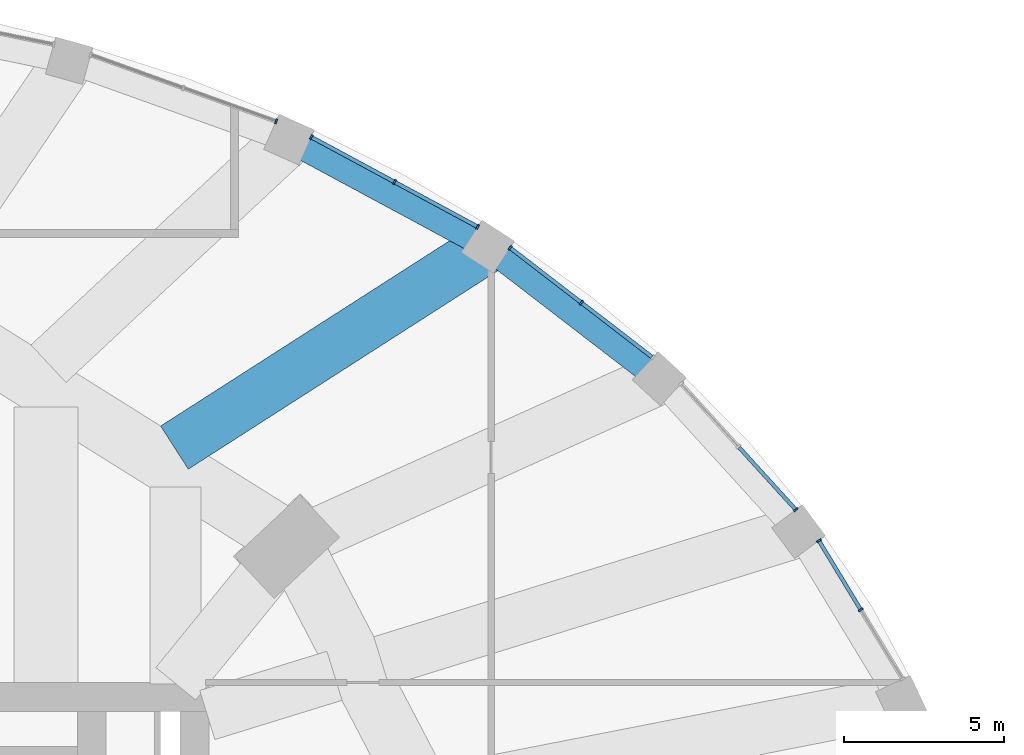
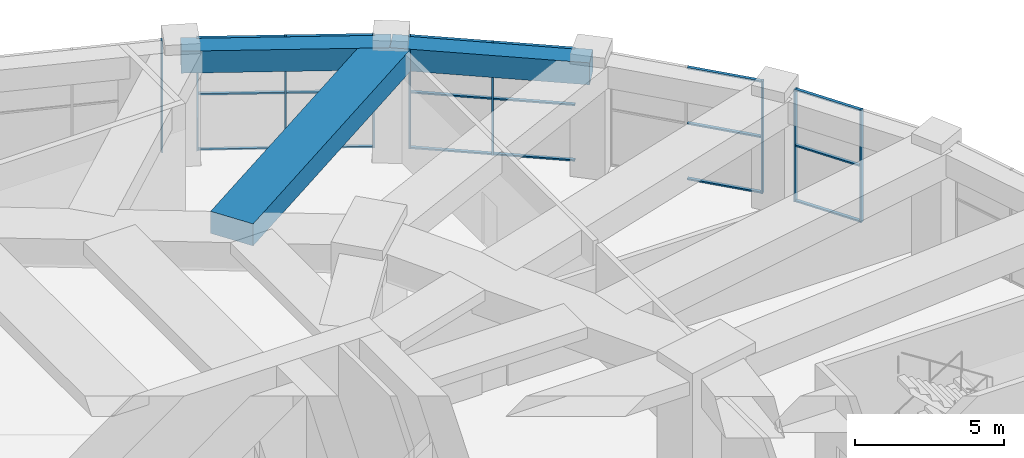
# One storey, part 15 of 32: 27 members, 3 beams, 5 elements without a shape of their own.
"""IFC4 building model written with IfcOpenShell, lengths in metres."""

from ifc_helpers import new_model, si_unit, direction, frame, origin, origin_2d, place, context, subcontext, project, spatial, rectangle, extrude, material, material_profile, profile_set, type_object, element, aggregate, save


model = new_model("IFC4")

# Units and contexts
model_context = context("Model", 3, precision=1e-05, world=origin(), true_north=direction((0.0, 1.0)))
body_context = subcontext(model_context, "Body", "Model", "MODEL_VIEW")
ifc_project = project(units=[si_unit("LENGTHUNIT", "METRE"), si_unit("AREAUNIT", "SQUARE_METRE"), si_unit("VOLUMEUNIT", "CUBIC_METRE"), si_unit("PLANEANGLEUNIT", "RADIAN"), si_unit("MASSUNIT", "GRAM", prefix="KILO")], contexts=[model_context])

# Site, building, storey
site_placement = place(None, origin())
site = spatial("IfcSite", under=ifc_project, at=site_placement, CompositionType="ELEMENT")
building_placement = place(site_placement, origin())
building = spatial("IfcBuilding", under=site, at=building_placement, Name="Taillehof Tower", CompositionType="ELEMENT")
storey_placement = place(building_placement, frame((0.0, 0.0, 7.5)))
storey = spatial("IfcBuildingStorey", under=building, at=storey_placement, Name="L01", CompositionType="ELEMENT", Elevation=7.5)

# Beams
ifc_material_1 = material(Name="Concrete C50/60", Category="concrete")
ifc_material_profile_1 = material_profile(ifc_material_1, rectangle(XDim=0.800048828125, YDim=0.89990234375, at=origin_2d()), Name="RC 800x900")
ifc_profile_set_1 = profile_set([ifc_material_profile_1], Name="Concrete C50/60")
beam_type_1 = type_object("IfcBeamType", Name="Podium edge beam C50/60 800x900", PredefinedType="BEAM", material=ifc_profile_set_1)
beam_1_placement = place(storey_placement, frame((33.246337890625, 21.468994140625, 4.139892578125), z_axis=(-0.79247741179, 0.609901263978, 0.0), x_axis=(-0.609901263978, -0.79247741179, 0.0)))
element("IfcBeam", 1, at=beam_1_placement, inside=storey, type_object=beam_type_1, Name="Podium edge beam PB05", PredefinedType="BEAM", context=body_context, shape_type="SweptSolid", body=[
    extrude(rectangle(XDim=0.800048828125, YDim=0.89990234375, at=origin_2d()), origin(), (0.0, 0.0, 1.0), 6.750244140625),
])
beam_2_placement = place(storey_placement, frame((27.89697265625, 25.5859375, 4.139892578125), z_axis=(-0.880322944269, 0.474374866317, 0.0), x_axis=(-0.474374866317, -0.880322944269, 0.0)))
element("IfcBeam", 2, at=beam_2_placement, inside=storey, type_object=beam_type_1, Name="Podium edge beam PB06", PredefinedType="BEAM", context=body_context, shape_type="SweptSolid", body=[
    extrude(rectangle(XDim=0.800048828125, YDim=0.89990234375, at=origin_2d()), origin(), (0.0, 0.0, 1.0), 7.03955078125),
])
ifc_material_2 = material(Name="Concrete C50/60", Category="concrete")
ifc_material_profile_2 = material_profile(ifc_material_2, rectangle(XDim=1.60009765625, YDim=0.89990234375, at=origin_2d()), Name="RC 1600x900")
ifc_profile_set_2 = profile_set([ifc_material_profile_2], Name="Concrete C50/60")
beam_type_2 = type_object("IfcBeamType", Name="Podium radial beam C50/60 1600x900", PredefinedType="BEAM", material=ifc_profile_set_2)
beam_3_placement = place(storey_placement, frame((27.89697265625, 25.5859375, 4.139892578125), z_axis=(-0.841846298209, -0.539717342867, 0.0), x_axis=(0.539717342867, -0.841846298209, 0.0)))
element("IfcBeam", 3, at=beam_3_placement, inside=storey, type_object=beam_type_2, Name="Podium radial beam PR06", PredefinedType="BEAM", context=body_context, shape_type="SweptSolid", body=[
    extrude(rectangle(XDim=1.60009765625, YDim=0.89990234375, at=origin_2d()), origin(), (0.0, 0.0, 1.0), 11.60546875),
])

# Curtain wall, members
ifc_material_3 = material(Name="Aluminium curtain wall with Clear low-emissivity double glazing", Category="aluminium")
curtain_wall_type = type_object("IfcCurtainWallType", Name="Podium window wall curtain wall", PredefinedType="USERDEFINED", material=ifc_material_3)
curtain_wall_1_placement = place(storey_placement, origin())
curtain_wall_1 = element("IfcCurtainWall", 4, at=curtain_wall_1_placement, inside=storey, type_object=curtain_wall_type, Name="Podium window wall L01 bay 3", ObjectType="WINDOW WALL", PredefinedType="USERDEFINED")
ifc_material_4 = material(Name="Aluminium mullion", Category="aluminium")
ifc_material_profile_3 = material_profile(ifc_material_4, rectangle(XDim=0.159912109375, YDim=0.06005859375, at=origin_2d()), Name="AL 60x160")
ifc_profile_set_3 = profile_set([ifc_material_profile_3], Name="Aluminium mullion")
member_type_1 = type_object("IfcMemberType", Name="Podium window wall mullion 60x160", PredefinedType="MULLION", material=ifc_profile_set_3)
member_1_placement = place(storey_placement, frame((39.524169921875, 14.266357421875, 0.0), z_axis=(0.0, 0.0, 1.0), x_axis=(-0.855288863309, -0.518151483931, 0.0)))
member_1 = element("IfcMember", 5, at=member_1_placement, type_object=member_type_1, Name="CT203 mullion 2", PredefinedType="MULLION", context=body_context, shape_type="SweptSolid", body=[
    extrude(rectangle(XDim=0.159912109375, YDim=0.06005859375, at=origin_2d()), origin(), (0.0, 0.0, 1.0), 4.590087890625),
])
member_2_placement = place(storey_placement, frame((38.217529296875, 16.42333984375, 0.0), z_axis=(0.0, 0.0, 1.0), x_axis=(-0.855288863309, -0.518151483931, 0.0)))
member_2 = element("IfcMember", 6, at=member_2_placement, type_object=member_type_1, Name="CT203 mullion 3", PredefinedType="MULLION", context=body_context, shape_type="SweptSolid", body=[
    extrude(rectangle(XDim=0.159912109375, YDim=0.06005859375, at=origin_2d()), origin(), (0.0, 0.0, 1.0), 4.590087890625),
])

# Curtain wall, member
curtain_wall_2_placement = place(storey_placement, origin())
curtain_wall_2 = element("IfcCurtainWall", 7, at=curtain_wall_2_placement, inside=storey, type_object=curtain_wall_type, Name="Podium window wall L01 bay 4", ObjectType="WINDOW WALL", PredefinedType="USERDEFINED")
member_3_placement = place(storey_placement, frame((37.49951171875, 17.384765625, 0.0), z_axis=(0.0, 0.0, 1.0), x_axis=(-0.739707112587, -0.672928961769, 0.0)))
member_3 = element("IfcMember", 8, at=member_3_placement, type_object=member_type_1, Name="CT204 mullion 1", PredefinedType="MULLION", context=body_context, shape_type="SweptSolid", body=[
    extrude(rectangle(XDim=0.159912109375, YDim=0.06005859375, at=origin_2d()), origin(), (0.0, 0.0, 1.0), 4.590087890625),
])

# Curtain wall, members
curtain_wall_3_placement = place(storey_placement, origin())
curtain_wall_3 = element("IfcCurtainWall", 9, at=curtain_wall_3_placement, inside=storey, type_object=curtain_wall_type, Name="Podium window wall L01 bay 5", ObjectType="WINDOW WALL", PredefinedType="USERDEFINED")
member_4_placement = place(storey_placement, frame((30.8154296875, 23.842041015625, 0.0), z_axis=(0.0, 0.0, 1.0), x_axis=(-0.60993206075, -0.792453709228, 0.0)))
member_4 = element("IfcMember", 10, at=member_4_placement, type_object=member_type_1, Name="CT205 mullion 2", PredefinedType="MULLION", context=body_context, shape_type="SweptSolid", body=[
    extrude(rectangle(XDim=0.159912109375, YDim=0.06005859375, at=origin_2d()), origin(), (0.0, 0.0, 1.0), 4.590087890625),
])
member_5_placement = place(storey_placement, frame((28.59130859375, 25.5537109375, 0.0), z_axis=(0.0, 0.0, 1.0), x_axis=(-0.60993206075, -0.792453709228, 0.0)))
member_5 = element("IfcMember", 11, at=member_5_placement, type_object=member_type_1, Name="CT205 mullion 3", PredefinedType="MULLION", context=body_context, shape_type="SweptSolid", body=[
    extrude(rectangle(XDim=0.159912109375, YDim=0.06005859375, at=origin_2d()), origin(), (0.0, 0.0, 1.0), 4.590087890625),
])

curtain_wall_4_placement = place(storey_placement, origin())
curtain_wall_4 = element("IfcCurtainWall", 12, at=curtain_wall_4_placement, inside=storey, type_object=curtain_wall_type, Name="Podium window wall L01 bay 6", ObjectType="WINDOW WALL", PredefinedType="USERDEFINED")
member_6_placement = place(storey_placement, frame((27.584228515625, 26.20654296875, 0.0), z_axis=(0.0, 0.0, 1.0), x_axis=(-0.474414781992, -0.880301433958, 0.0)))
member_6 = element("IfcMember", 13, at=member_6_placement, type_object=member_type_1, Name="CT206 mullion 1", PredefinedType="MULLION", context=body_context, shape_type="SweptSolid", body=[
    extrude(rectangle(XDim=0.159912109375, YDim=0.06005859375, at=origin_2d()), origin(), (0.0, 0.0, 1.0), 4.590087890625),
])
member_7_placement = place(storey_placement, frame((24.98828125, 27.60546875, 0.0), z_axis=(0.0, 0.0, 1.0), x_axis=(-0.474414781992, -0.880301433958, 0.0)))
member_7 = element("IfcMember", 14, at=member_7_placement, type_object=member_type_1, Name="CT206 mullion 2", PredefinedType="MULLION", context=body_context, shape_type="SweptSolid", body=[
    extrude(rectangle(XDim=0.159912109375, YDim=0.06005859375, at=origin_2d()), origin(), (0.0, 0.0, 1.0), 4.590087890625),
])
member_8_placement = place(storey_placement, frame((22.392333984375, 29.004638671875, 0.0), z_axis=(0.0, 0.0, 1.0), x_axis=(-0.474414781992, -0.880301433958, 0.0)))
member_8 = element("IfcMember", 15, at=member_8_placement, type_object=member_type_1, Name="CT206 mullion 3", PredefinedType="MULLION", context=body_context, shape_type="SweptSolid", body=[
    extrude(rectangle(XDim=0.159912109375, YDim=0.06005859375, at=origin_2d()), origin(), (0.0, 0.0, 1.0), 4.590087890625),
])

# Curtain wall, member
curtain_wall_5_placement = place(storey_placement, origin())
curtain_wall_5 = element("IfcCurtainWall", 16, at=curtain_wall_5_placement, inside=storey, type_object=curtain_wall_type, Name="Podium window wall L01 bay 7", ObjectType="WINDOW WALL", PredefinedType="USERDEFINED")
member_9_placement = place(storey_placement, frame((21.29638671875, 29.4931640625, 0.0), z_axis=(0.0, 0.0, 1.0), x_axis=(-0.337798502496, -0.94121845058, 0.0)))
member_9 = element("IfcMember", 17, at=member_9_placement, type_object=member_type_1, Name="CT207 mullion 1", PredefinedType="MULLION", context=body_context, shape_type="SweptSolid", body=[
    extrude(rectangle(XDim=0.159912109375, YDim=0.06005859375, at=origin_2d()), origin(), (0.0, 0.0, 1.0), 4.590087890625),
])
aggregate(curtain_wall_5, [member_9])

# Member
ifc_material_5 = material(Name="Aluminium transom", Category="aluminium")
ifc_material_profile_4 = material_profile(ifc_material_5, rectangle(XDim=0.1201171875, YDim=0.06005859375, at=origin_2d()), Name="AL 120x60")
ifc_profile_set_4 = profile_set([ifc_material_profile_4], Name="Aluminium transom")
member_type_2 = type_object("IfcMemberType", Name="Podium window wall transom 120x60", PredefinedType="USERDEFINED", material=ifc_profile_set_4)
member_10_placement = place(storey_placement, frame((39.5087890625, 14.2919921875, 0.030029296875), z_axis=(-0.518136875535, 0.855297713203, 0.0), x_axis=(-0.855297713203, -0.518136875535, 0.0)))
member_10 = element("IfcMember", 18, at=member_10_placement, type_object=member_type_2, Name="CT203 transom 2.1", ObjectType="TRANSOM", PredefinedType="USERDEFINED", context=body_context, shape_type="SweptSolid", body=[
    extrude(rectangle(XDim=0.1201171875, YDim=0.06005859375, at=origin_2d()), origin(), (0.0, 0.0, 1.0), 2.4619140625),
])

member_11_placement = place(storey_placement, frame((39.5087890625, 14.2919921875, 2.294921875), z_axis=(-0.518136875535, 0.855297713203, 0.0), x_axis=(-0.855297713203, -0.518136875535, 0.0)))
member_11 = element("IfcMember", 19, at=member_11_placement, type_object=member_type_2, Name="CT203 transom 2.2", ObjectType="TRANSOM", PredefinedType="USERDEFINED", context=body_context, shape_type="SweptSolid", body=[
    extrude(rectangle(XDim=0.1201171875, YDim=0.06005859375, at=origin_2d()), origin(), (0.0, 0.0, 1.0), 2.4619140625),
])

member_12_placement = place(storey_placement, frame((39.5087890625, 14.2919921875, 4.56005859375), z_axis=(-0.518136875535, 0.855297713203, 0.0), x_axis=(-0.855297713203, -0.518136875535, 0.0)))
member_12 = element("IfcMember", 20, at=member_12_placement, type_object=member_type_2, Name="CT203 transom 2.3", ObjectType="TRANSOM", PredefinedType="USERDEFINED", context=body_context, shape_type="SweptSolid", body=[
    extrude(rectangle(XDim=0.1201171875, YDim=0.06005859375, at=origin_2d()), origin(), (0.0, 0.0, 1.0), 2.4619140625),
])

aggregate(curtain_wall_1, [member_1, member_2, member_10, member_11, member_12])

member_13_placement = place(storey_placement, frame((37.479248046875, 17.406982421875, 0.030029296875), z_axis=(-0.672911295482, 0.739723183639, 0.0), x_axis=(-0.739723183639, -0.672911295482, 0.0)))
member_13 = element("IfcMember", 21, at=member_13_placement, type_object=member_type_2, Name="CT204 transom 1.1", ObjectType="TRANSOM", PredefinedType="USERDEFINED", context=body_context, shape_type="SweptSolid", body=[
    extrude(rectangle(XDim=0.1201171875, YDim=0.06005859375, at=origin_2d()), origin(), (0.0, 0.0, 1.0), 2.59814453125),
])

member_14_placement = place(storey_placement, frame((37.479248046875, 17.406982421875, 2.294921875), z_axis=(-0.672911295482, 0.739723183639, 0.0), x_axis=(-0.739723183639, -0.672911295482, 0.0)))
member_14 = element("IfcMember", 22, at=member_14_placement, type_object=member_type_2, Name="CT204 transom 1.2", ObjectType="TRANSOM", PredefinedType="USERDEFINED", context=body_context, shape_type="SweptSolid", body=[
    extrude(rectangle(XDim=0.1201171875, YDim=0.06005859375, at=origin_2d()), origin(), (0.0, 0.0, 1.0), 2.59814453125),
])

member_15_placement = place(storey_placement, frame((37.479248046875, 17.406982421875, 4.56005859375), z_axis=(-0.672911295482, 0.739723183639, 0.0), x_axis=(-0.739723183639, -0.672911295482, 0.0)))
member_15 = element("IfcMember", 23, at=member_15_placement, type_object=member_type_2, Name="CT204 transom 1.3", ObjectType="TRANSOM", PredefinedType="USERDEFINED", context=body_context, shape_type="SweptSolid", body=[
    extrude(rectangle(XDim=0.1201171875, YDim=0.06005859375, at=origin_2d()), origin(), (0.0, 0.0, 1.0), 2.59814453125),
])

aggregate(curtain_wall_2, [member_3, member_13, member_14, member_15])

member_16_placement = place(storey_placement, frame((33.015625, 22.1484375, 0.030029296875), z_axis=(-0.792438906392, 0.609951292839, 0.0), x_axis=(-0.609951292839, -0.792438906392, 0.0)))
member_16 = element("IfcMember", 24, at=member_16_placement, type_object=member_type_2, Name="CT205 transom 1.1", ObjectType="TRANSOM", PredefinedType="USERDEFINED", context=body_context, shape_type="SweptSolid", body=[
    extrude(rectangle(XDim=0.1201171875, YDim=0.06005859375, at=origin_2d()), origin(), (0.0, 0.0, 1.0), 2.74658203125),
])

member_17_placement = place(storey_placement, frame((33.015625, 22.1484375, 2.294921875), z_axis=(-0.792438906392, 0.609951292839, 0.0), x_axis=(-0.609951292839, -0.792438906392, 0.0)))
member_17 = element("IfcMember", 25, at=member_17_placement, type_object=member_type_2, Name="CT205 transom 1.2", ObjectType="TRANSOM", PredefinedType="USERDEFINED", context=body_context, shape_type="SweptSolid", body=[
    extrude(rectangle(XDim=0.1201171875, YDim=0.06005859375, at=origin_2d()), origin(), (0.0, 0.0, 1.0), 2.74658203125),
])

member_18_placement = place(storey_placement, frame((33.015625, 22.1484375, 4.56005859375), z_axis=(-0.792438906392, 0.609951292839, 0.0), x_axis=(-0.609951292839, -0.792438906392, 0.0)))
member_18 = element("IfcMember", 26, at=member_18_placement, type_object=member_type_2, Name="CT205 transom 1.3", ObjectType="TRANSOM", PredefinedType="USERDEFINED", context=body_context, shape_type="SweptSolid", body=[
    extrude(rectangle(XDim=0.1201171875, YDim=0.06005859375, at=origin_2d()), origin(), (0.0, 0.0, 1.0), 2.74658203125),
])

member_19_placement = place(storey_placement, frame((30.79150390625, 23.8603515625, 0.030029296875), z_axis=(-0.792481870823, 0.609895470075, 0.0), x_axis=(-0.609895470075, -0.792481870823, 0.0)))
member_19 = element("IfcMember", 27, at=member_19_placement, type_object=member_type_2, Name="CT205 transom 2.1", ObjectType="TRANSOM", PredefinedType="USERDEFINED", context=body_context, shape_type="SweptSolid", body=[
    extrude(rectangle(XDim=0.1201171875, YDim=0.06005859375, at=origin_2d()), origin(), (0.0, 0.0, 1.0), 2.746337890625),
])

member_20_placement = place(storey_placement, frame((30.79150390625, 23.8603515625, 2.294921875), z_axis=(-0.792481870823, 0.609895470075, 0.0), x_axis=(-0.609895470075, -0.792481870823, 0.0)))
member_20 = element("IfcMember", 28, at=member_20_placement, type_object=member_type_2, Name="CT205 transom 2.2", ObjectType="TRANSOM", PredefinedType="USERDEFINED", context=body_context, shape_type="SweptSolid", body=[
    extrude(rectangle(XDim=0.1201171875, YDim=0.06005859375, at=origin_2d()), origin(), (0.0, 0.0, 1.0), 2.746337890625),
])

member_21_placement = place(storey_placement, frame((30.79150390625, 23.8603515625, 4.56005859375), z_axis=(-0.792481870823, 0.609895470075, 0.0), x_axis=(-0.609895470075, -0.792481870823, 0.0)))
member_21 = element("IfcMember", 29, at=member_21_placement, type_object=member_type_2, Name="CT205 transom 2.3", ObjectType="TRANSOM", PredefinedType="USERDEFINED", context=body_context, shape_type="SweptSolid", body=[
    extrude(rectangle(XDim=0.1201171875, YDim=0.06005859375, at=origin_2d()), origin(), (0.0, 0.0, 1.0), 2.746337890625),
])

aggregate(curtain_wall_3, [member_4, member_5, member_16, member_17, member_18, member_19, member_20, member_21])

member_22_placement = place(storey_placement, frame((27.557861328125, 26.220703125, 0.030029296875), z_axis=(-0.880281070202, 0.474452566063, 0.0), x_axis=(-0.474452566063, -0.880281070202, 0.0)))
member_22 = element("IfcMember", 30, at=member_22_placement, type_object=member_type_2, Name="CT206 transom 1.1", ObjectType="TRANSOM", PredefinedType="USERDEFINED", context=body_context, shape_type="SweptSolid", body=[
    extrude(rectangle(XDim=0.1201171875, YDim=0.06005859375, at=origin_2d()), origin(), (0.0, 0.0, 1.0), 2.888916015625),
])

member_23_placement = place(storey_placement, frame((27.557861328125, 26.220703125, 2.294921875), z_axis=(-0.880281070202, 0.474452566063, 0.0), x_axis=(-0.474452566063, -0.880281070202, 0.0)))
member_23 = element("IfcMember", 31, at=member_23_placement, type_object=member_type_2, Name="CT206 transom 1.2", ObjectType="TRANSOM", PredefinedType="USERDEFINED", context=body_context, shape_type="SweptSolid", body=[
    extrude(rectangle(XDim=0.1201171875, YDim=0.06005859375, at=origin_2d()), origin(), (0.0, 0.0, 1.0), 2.888916015625),
])

member_24_placement = place(storey_placement, frame((27.557861328125, 26.220703125, 4.56005859375), z_axis=(-0.880281070202, 0.474452566063, 0.0), x_axis=(-0.474452566063, -0.880281070202, 0.0)))
member_24 = element("IfcMember", 32, at=member_24_placement, type_object=member_type_2, Name="CT206 transom 1.3", ObjectType="TRANSOM", PredefinedType="USERDEFINED", context=body_context, shape_type="SweptSolid", body=[
    extrude(rectangle(XDim=0.1201171875, YDim=0.06005859375, at=origin_2d()), origin(), (0.0, 0.0, 1.0), 2.888916015625),
])

member_25_placement = place(storey_placement, frame((24.9619140625, 27.619873046875, 0.030029296875), z_axis=(-0.880300092261, 0.474417271571, 0.0), x_axis=(-0.474417271571, -0.880300092261, 0.0)))
member_25 = element("IfcMember", 33, at=member_25_placement, type_object=member_type_2, Name="CT206 transom 2.1", ObjectType="TRANSOM", PredefinedType="USERDEFINED", context=body_context, shape_type="SweptSolid", body=[
    extrude(rectangle(XDim=0.1201171875, YDim=0.06005859375, at=origin_2d()), origin(), (0.0, 0.0, 1.0), 2.888916015625),
])

member_26_placement = place(storey_placement, frame((24.9619140625, 27.619873046875, 2.294921875), z_axis=(-0.880300092261, 0.474417271571, 0.0), x_axis=(-0.474417271571, -0.880300092261, 0.0)))
member_26 = element("IfcMember", 34, at=member_26_placement, type_object=member_type_2, Name="CT206 transom 2.2", ObjectType="TRANSOM", PredefinedType="USERDEFINED", context=body_context, shape_type="SweptSolid", body=[
    extrude(rectangle(XDim=0.1201171875, YDim=0.06005859375, at=origin_2d()), origin(), (0.0, 0.0, 1.0), 2.888916015625),
])

member_27_placement = place(storey_placement, frame((24.9619140625, 27.619873046875, 4.56005859375), z_axis=(-0.880300092261, 0.474417271571, 0.0), x_axis=(-0.474417271571, -0.880300092261, 0.0)))
member_27 = element("IfcMember", 35, at=member_27_placement, type_object=member_type_2, Name="CT206 transom 2.3", ObjectType="TRANSOM", PredefinedType="USERDEFINED", context=body_context, shape_type="SweptSolid", body=[
    extrude(rectangle(XDim=0.1201171875, YDim=0.06005859375, at=origin_2d()), origin(), (0.0, 0.0, 1.0), 2.888916015625),
])

aggregate(curtain_wall_4, [member_6, member_7, member_8, member_22, member_23, member_24, member_25, member_26, member_27])

save(model, "model.ifc")
